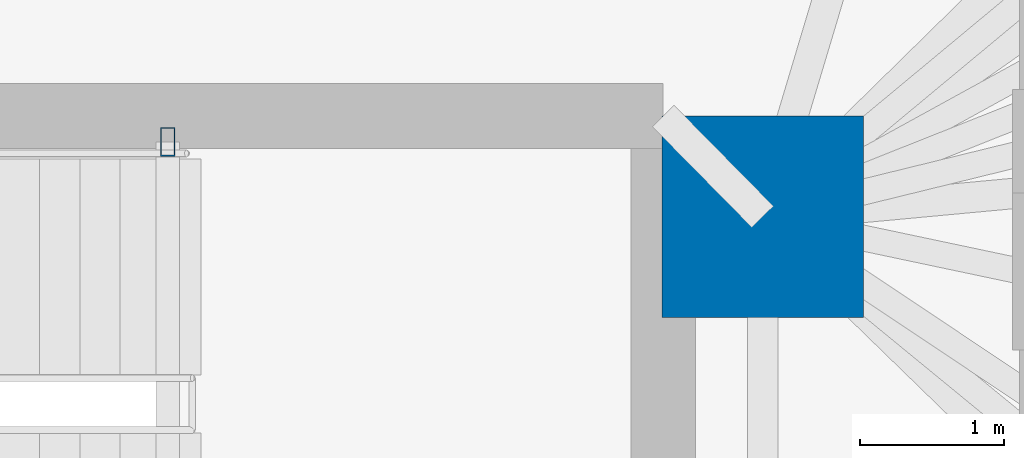
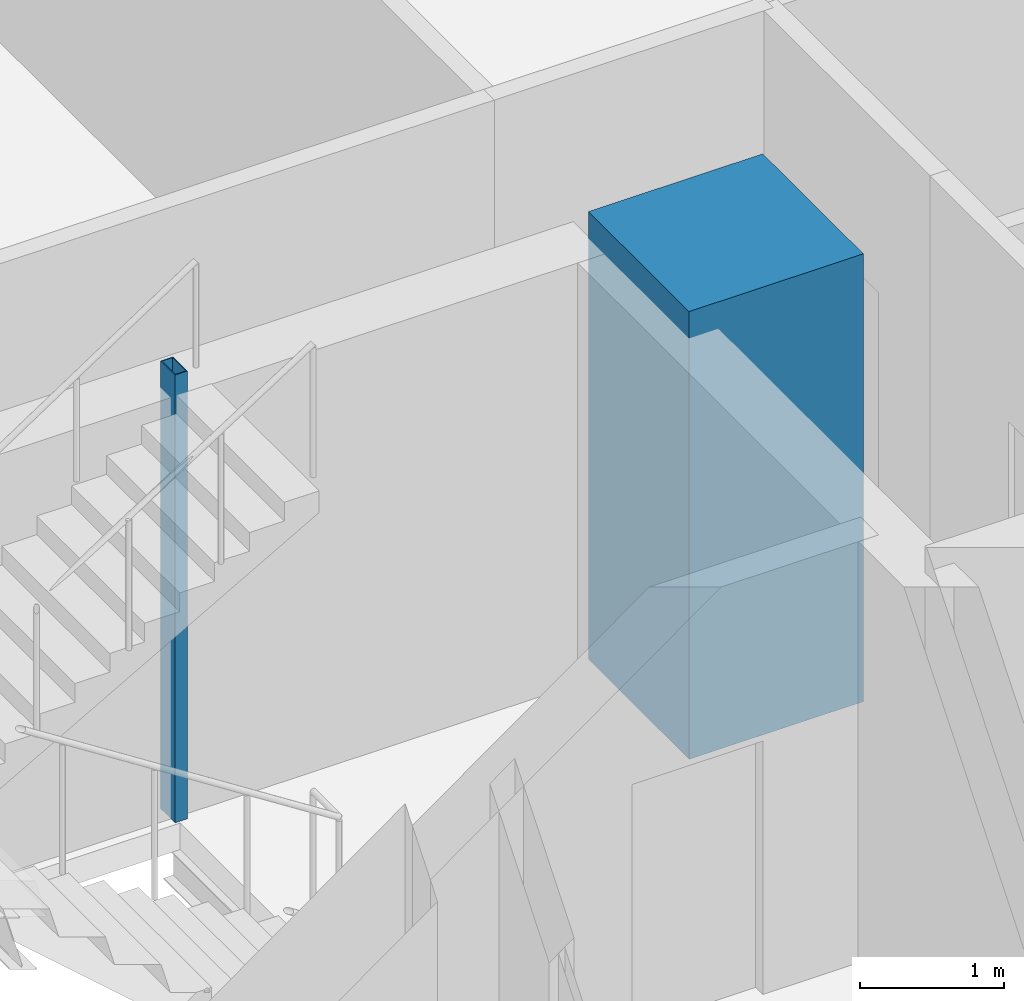
# One storey, part 4 of 17: 2 columns.
"""IFC4 building model written with IfcOpenShell, lengths in metres."""

import ifcopenshell
import ifcopenshell.guid

model = None  # the IFC model being written
_history = None  # IfcOwnerHistory: only IFC2X3 demands one
_inside = {}  # id of a spatial element -> (the spatial element, [elements in it])
_under = {}  # id of a project, library or spatial element -> (it, [spatial elements below it])
_declared = {}  # id of a project -> (the project, [libraries it declares])
_typed = {}  # id of a type object -> (the type object, [elements of that type])
_made_of = {}  # id of a material, layer set ... -> (it, [elements and type objects made of it])


def new_model(schema):
    """Start an empty IFC model of exactly this schema.

    Asked for "IFC4X3", IfcOpenShell would pick the latest addendum, in which some entities
    have other attributes; the version numbers below select the first issue.
    IFC2X3 requires an IfcOwnerHistory on every rooted entity: one is made here for all.
    """
    global model, _history
    if schema == "IFC4X3":
        model = ifcopenshell.file(schema_version=(4, 3, 0, 0))
    else:
        model = ifcopenshell.file(schema=schema)
    _inside.clear()
    _under.clear()
    _declared.clear()
    _typed.clear()
    _made_of.clear()
    _history = None
    if model.schema == "IFC2X3":
        org = make("IfcOrganization", Name="unknown")
        user = make(
            "IfcPersonAndOrganization",
            ThePerson=make("IfcPerson", FamilyName="unknown"),
            TheOrganization=org,
        )
        app = make(
            "IfcApplication",
            ApplicationDeveloper=org,
            Version="unknown",
            ApplicationFullName="unknown",
            ApplicationIdentifier="unknown",
        )
        _history = make(
            "IfcOwnerHistory",
            OwningUser=user,
            OwningApplication=app,
            ChangeAction="ADDED",
            CreationDate=0,
        )
    return model


def make(cls, **values):
    """One entity of the class cls with the attributes given. An attribute that is None is left unset."""
    return model.create_entity(
        cls, **{name: value for name, value in values.items() if value is not None}
    )


def rooted(cls, **values):
    """An entity with a GlobalId (a new one), such as an element, a storey or a relation."""
    return make(cls, GlobalId=ifcopenshell.guid.new(), OwnerHistory=_history, **values)


def si_unit(unit_type, name, prefix=None):
    """IfcSIUnit, for example si_unit("LENGTHUNIT", "METRE", prefix="MILLI")."""
    return make("IfcSIUnit", UnitType=unit_type, Prefix=prefix, Name=name)


def assignment(units):
    """IfcUnitAssignment: the units of a project."""
    return None if units is None else make("IfcUnitAssignment", Units=units)


def point(xyz):
    """IfcCartesianPoint."""
    return None if xyz is None else make("IfcCartesianPoint", Coordinates=xyz)


def direction(xyz):
    """IfcDirection."""
    return None if xyz is None else make("IfcDirection", DirectionRatios=xyz)


def frame(location, z_axis=None, x_axis=None):
    """IfcAxis2Placement3D, a coordinate frame: its origin and axes. An axis left out is left unset."""
    return make(
        "IfcAxis2Placement3D",
        Location=point(location),
        Axis=direction(z_axis),
        RefDirection=direction(x_axis),
    )


def frame_2d(location, x_axis=None):
    """IfcAxis2Placement2D, a coordinate frame in the plane: its origin and x axis."""
    return make(
        "IfcAxis2Placement2D", Location=point(location), RefDirection=direction(x_axis)
    )


def origin():
    """The frame at (0, 0, 0) with its axes left unset."""
    return frame((0.0, 0.0, 0.0))


def origin_2d():
    """The frame at (0, 0) in the plane with its x axis left unset."""
    return frame_2d((0.0, 0.0))


def place(relative_to, where):
    """IfcLocalPlacement: puts the frame where relative to a parent placement (None: the world)."""
    return make(
        "IfcLocalPlacement", PlacementRelTo=relative_to, RelativePlacement=where
    )


def context(
    kind, dimensions, precision=None, world=None, true_north=None, identifier=None
):
    """IfcGeometricRepresentationContext, for example the 3D "Model" context."""
    return make(
        "IfcGeometricRepresentationContext",
        ContextIdentifier=identifier,
        ContextType=kind,
        CoordinateSpaceDimension=dimensions,
        Precision=precision,
        WorldCoordinateSystem=world,
        TrueNorth=true_north,
    )


def subcontext(parent, identifier, kind, view, scale=None):
    """IfcGeometricRepresentationSubContext, for example "Body" below "Model"."""
    return make(
        "IfcGeometricRepresentationSubContext",
        ContextIdentifier=identifier,
        ContextType=kind,
        ParentContext=parent,
        TargetScale=scale,
        TargetView=view,
    )


def project(units=None, contexts=None):
    """IfcProject with its units and contexts."""
    return rooted(
        "IfcProject",
        Name="project",
        RepresentationContexts=contexts,
        UnitsInContext=assignment(units),
    )


def spatial(cls, under=None, at=None, **own):
    """A site, building, storey or space (cls), placed at a placement, below another one or the project."""
    s = rooted(cls, ObjectPlacement=at, **own)
    if under is not None:
        _under.setdefault(under.id(), (under, []))[1].append(s)
    return s


def profile(cls, at=None, kind="AREA", **sizes):
    """A parametric profile (cls). Its sizes go by their IFC names, for example OverallWidth=200.0."""
    return make(cls, ProfileType=kind, Position=at, **sizes)


def rectangle(**sizes):
    """IfcRectangleProfileDef."""
    return profile("IfcRectangleProfileDef", **sizes)


def hollow_rectangle(**sizes):
    """IfcRectangleHollowProfileDef."""
    return profile("IfcRectangleHollowProfileDef", **sizes)


def extrude(swept, where, along, depth):
    """IfcExtrudedAreaSolid: the profile swept, set in the frame where, extruded along a direction by depth."""
    return make(
        "IfcExtrudedAreaSolid",
        SweptArea=swept,
        Position=where,
        ExtrudedDirection=direction(along),
        Depth=depth,
    )


def shape(context_of_items, identifier, shape_type, items):
    """IfcShapeRepresentation: the items that make up one representation, for example the "Body"."""
    return make(
        "IfcShapeRepresentation",
        ContextOfItems=context_of_items,
        RepresentationIdentifier=identifier,
        RepresentationType=shape_type,
        Items=items,
    )


def material(Name=None, Category=None):
    """IfcMaterial."""
    return make("IfcMaterial", Name=Name, Category=Category)


def material_profile(
    of_material, cross_section, Name=None, Category=None, Priority=None
):
    """IfcMaterialProfile: a cross section and its material."""
    return make(
        "IfcMaterialProfile",
        Name=Name,
        Material=of_material,
        Profile=cross_section,
        Priority=Priority,
        Category=Category,
    )


def profile_set(profiles, Name=None, composite=None):
    """IfcMaterialProfileSet."""
    return make(
        "IfcMaterialProfileSet",
        Name=Name,
        MaterialProfiles=profiles,
        CompositeProfile=composite,
    )


def made_of(thing, what):
    """Note that an element or type object is made of a material, layer set ...; save() writes the relation."""
    if what is not None:
        _made_of.setdefault(what.id(), (what, []))[1].append(thing)
    return thing


def type_object(cls, material=None, **own):
    """A type object (cls), such as IfcWallType, which elements share."""
    return made_of(rooted(cls, **own), material)


def element(
    cls,
    number,
    at=None,
    inside=None,
    cuts=None,
    type_object=None,
    material=None,
    context=None,
    identifier="Body",
    shape_type=None,
    held_by="IfcProductDefinitionShape",
    body=None,
    shapes=None,
    **own,
):
    """One element of the class cls, such as IfcWall. Its Tag is "e" and its number.

    at: its placement. inside: the storey or other place that contains it. cuts: it is an
    opening in that element (IfcRelVoidsElement). A single representation is given by context,
    identifier, shape_type and body (its items); several are given by shapes. held_by: the class
    of the entity that holds the representations. save() writes the other relations.
    """
    e = rooted(cls, Tag="e%d" % number, ObjectPlacement=at, **own)
    if body is not None:
        shapes = [shape(context, identifier, shape_type, body)]
    if shapes is not None:
        e.Representation = make(held_by, Representations=shapes)
    if inside is not None:
        _inside.setdefault(inside.id(), (inside, []))[1].append(e)
    if cuts is not None:
        rooted(
            "IfcRelVoidsElement", RelatingBuildingElement=cuts, RelatedOpeningElement=e
        )
    if type_object is not None:
        _typed.setdefault(type_object.id(), (type_object, []))[1].append(e)
    return made_of(e, material)


def aggregate(whole, parts):
    """IfcRelAggregates: a whole, such as a stair, and the parts it consists of."""
    return rooted("IfcRelAggregates", RelatingObject=whole, RelatedObjects=parts)


def save(model, path):
    """Write the relations noted so far, then the file.

    IfcRelAggregates (storeys below a building ...), IfcRelContainedInSpatialStructure (elements
    in a storey), IfcRelDefinesByType, IfcRelAssociatesMaterial and IfcRelDeclares: one each for
    every whole, place, type object, material and project.
    """
    for whole, parts in _under.values():
        aggregate(whole, parts)
    for where, things in _inside.values():
        rooted(
            "IfcRelContainedInSpatialStructure",
            RelatedElements=things,
            RelatingStructure=where,
        )
    for kind, things in _typed.values():
        rooted("IfcRelDefinesByType", RelatedObjects=things, RelatingType=kind)
    for what, things in _made_of.values():
        rooted("IfcRelAssociatesMaterial", RelatedObjects=things, RelatingMaterial=what)
    for by, libraries in _declared.values():
        rooted("IfcRelDeclares", RelatingContext=by, RelatedDefinitions=libraries)
    model.write(path)


model = new_model("IFC4")

# Units and contexts
model_context = context("Model", 3, precision=1e-05, world=origin(), true_north=direction((0.0, 1.0)))
body_context = subcontext(model_context, "Body", "Model", "MODEL_VIEW")
ifc_project = project(units=[si_unit("LENGTHUNIT", "METRE"), si_unit("AREAUNIT", "SQUARE_METRE"), si_unit("VOLUMEUNIT", "CUBIC_METRE"), si_unit("PLANEANGLEUNIT", "RADIAN"), si_unit("MASSUNIT", "GRAM", prefix="KILO")], contexts=[model_context])

# Site, building, storey
site_placement = place(None, origin())
site = spatial("IfcSite", under=ifc_project, at=site_placement, CompositionType="ELEMENT")
building_placement = place(site_placement, origin())
building = spatial("IfcBuilding", under=site, at=building_placement, Name="Menara Jurai Vektor", CompositionType="ELEMENT")
storey_placement = place(building_placement, frame((0.0, 0.0, 63.60009765625)))
storey = spatial("IfcBuildingStorey", under=building, at=storey_placement, Name="L15", CompositionType="ELEMENT", Elevation=63.60009765625)

# Columns
ifc_material_1 = material(Name="Concrete C60/75", Category="concrete")
ifc_material_profile_1 = material_profile(ifc_material_1, rectangle(XDim=1.39990234375, YDim=1.39990234375, at=origin_2d()), Name="RC 1400x1400")
ifc_profile_set_1 = profile_set([ifc_material_profile_1], Name="Concrete C60/75")
column_type_1 = type_object("IfcColumnType", Name="STR-COL-RC1400", PredefinedType="COLUMN", material=ifc_profile_set_1)
column_1_placement = place(storey_placement, frame((15.25, 4.89990234375, 0.0), z_axis=(0.0, 0.0, 1.0), x_axis=(1.0, 0.0, 0.0)))
element("IfcColumn", 1, at=column_1_placement, inside=storey, type_object=column_type_1, Name="Core Spine Column CE-NE L15", PredefinedType="COLUMN", context=body_context, shape_type="SweptSolid", body=[
    extrude(rectangle(XDim=1.39990234375, YDim=1.39990234375, at=origin_2d()), origin(), (0.0, 0.0, 1.0), 3.7998046875),
])
ifc_material_2 = material(Name="Steel S355", Category="steel")
ifc_material_profile_2 = material_profile(ifc_material_2, hollow_rectangle(XDim=0.10009765625, YDim=0.199951171875, WallThickness=0.008056640625, at=origin_2d()), Name="RHS 200x100x8")
ifc_profile_set_2 = profile_set([ifc_material_profile_2], Name="Steel S355")
column_type_2 = type_object("IfcColumnType", Name="STR-COL-STAIR", PredefinedType="COLUMN", material=ifc_profile_set_2)
column_2_placement = place(storey_placement, frame((11.1201171875, 5.419921875, 0.0), z_axis=(0.0, 0.0, 1.0), x_axis=(1.0, 0.0, 0.0)))
element("IfcColumn", 2, at=column_2_placement, inside=storey, type_object=column_type_2, Name="Stair Well Header Column ST2-P2 L15", PredefinedType="COLUMN", context=body_context, shape_type="SweptSolid", body=[
    extrude(hollow_rectangle(XDim=0.10009765625, YDim=0.199951171875, WallThickness=0.008056640625, at=origin_2d()), origin(), (0.0, 0.0, 1.0), 3.7998046875),
])

save(model, "model.ifc")
